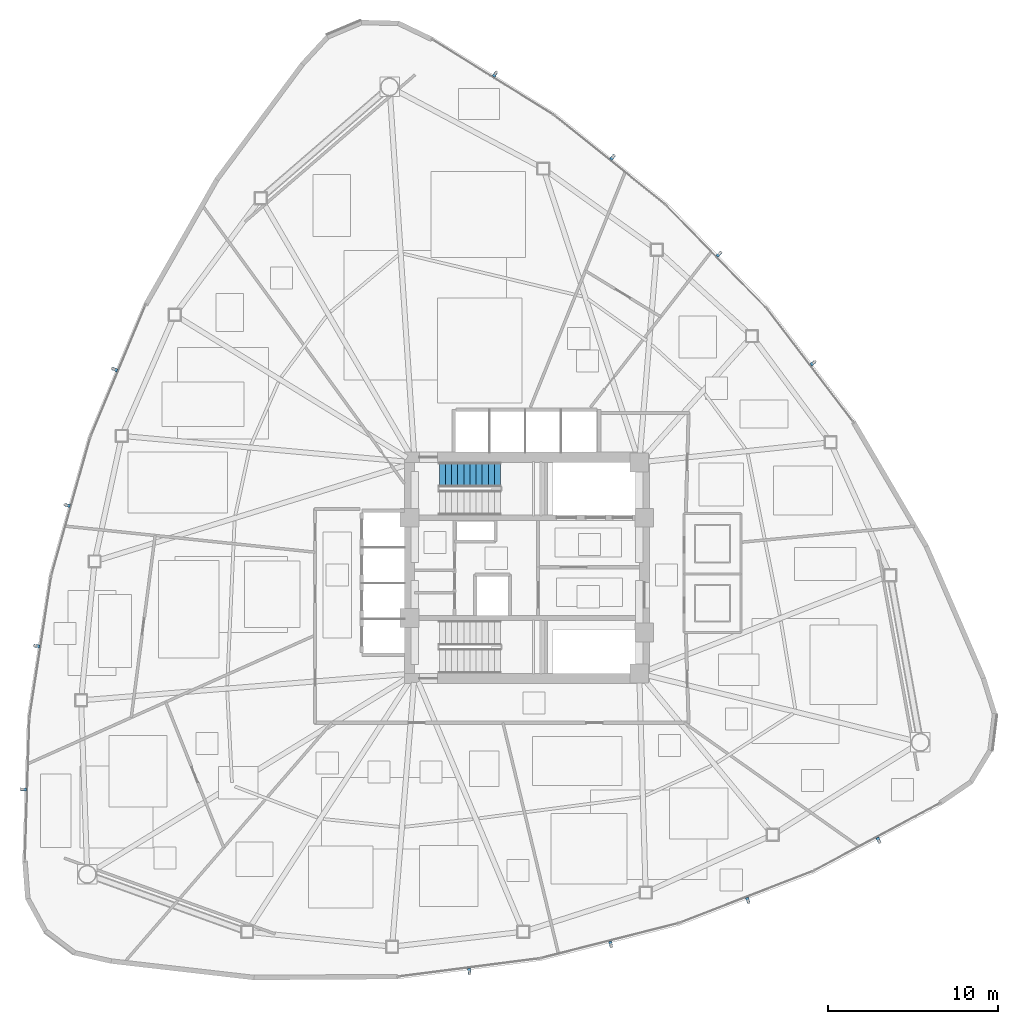
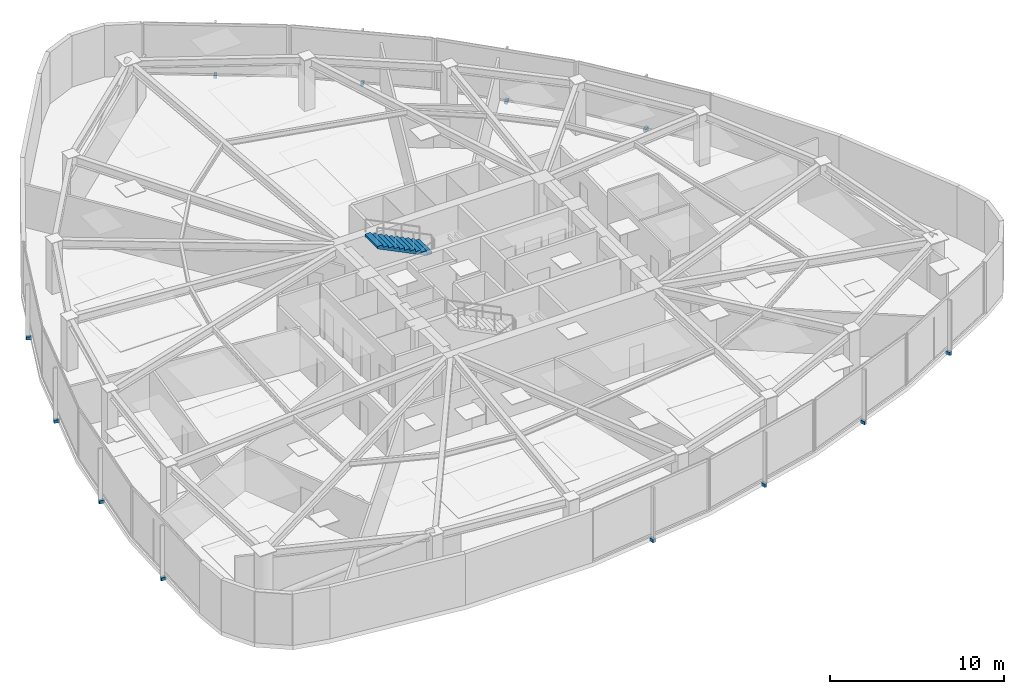
# One storey, part 13 of 17: 12 discrete accessories, 1 stair flight, 1 element without a shape of its own.
"""IFC4 building model written with IfcOpenShell, lengths in metres."""

from ifc_helpers import new_model, si_unit, direction, frame, origin, origin_2d, place, context, subcontext, project, spatial, polyline, rectangle, outline, extrude, source, transform, mapped, material, type_object, type_shapes, element, aggregate, save


model = new_model("IFC4")

# Units and contexts
model_context = context("Model", 3, precision=1e-05, world=origin(), true_north=direction((0.0, 1.0)))
body_context = subcontext(model_context, "Body", "Model", "MODEL_VIEW")
ifc_project = project(units=[si_unit("LENGTHUNIT", "METRE"), si_unit("AREAUNIT", "SQUARE_METRE"), si_unit("VOLUMEUNIT", "CUBIC_METRE"), si_unit("PLANEANGLEUNIT", "RADIAN"), si_unit("MASSUNIT", "GRAM", prefix="KILO")], contexts=[model_context])

# Site, building, storey
site_placement = place(None, origin())
site = spatial("IfcSite", under=ifc_project, at=site_placement, CompositionType="ELEMENT")
building_placement = place(site_placement, origin())
building = spatial("IfcBuilding", under=site, at=building_placement, Name="Tavelor Broadcast Tower", CompositionType="ELEMENT")
storey_placement = place(building_placement, frame((0.0, 0.0, 70.5)))
storey = spatial("IfcBuildingStorey", under=building, at=storey_placement, Name="L16", CompositionType="ELEMENT", Elevation=70.5)

# Stair, stair flight
ifc_material_1 = material(Name="Concrete C40/50", Category="concrete")
stair_type = type_object("IfcStairType", Name="Reinforced Concrete Protected Dogleg Stair 1450 mm", PredefinedType="HALF_TURN_STAIR", material=ifc_material_1)
stair_placement = place(storey_placement, origin())
stair = element("IfcStair", 1, at=stair_placement, inside=storey, type_object=stair_type, Name="L16 Protected Core Exit Stair ST1", PredefinedType="HALF_TURN_STAIR")
stair_flight_type = type_object("IfcStairFlightType", Name="Reinforced Concrete Stair Flight 1450 mm", PredefinedType="STRAIGHT", material=ifc_material_1)
stair_flight_placement = place(storey_placement, frame((48.449951171875, 50.47509765625, 1.949951171875), z_axis=(0.0, 0.0, 1.0), x_axis=(-1.0, 0.0, 0.0)))
stair_flight = element("IfcStairFlight", 2, at=stair_flight_placement, type_object=stair_flight_type, Name="ST1 flight 2", NumberOfRisers=11, NumberOfTreads=10, PredefinedType="STRAIGHT", RiserHeight=0.177272727, TreadLength=0.36, context=body_context, shape_type="SweptSolid", body=[
    extrude(outline(polyline([(0.0, 0.0), (0.0, 0.17724609375), (0.360107421875, 0.17724609375), (0.360107421875, 0.3544921875), (0.719970703125, 0.3544921875), (0.719970703125, 0.53173828125), (1.080078125, 0.53173828125), (1.080078125, 0.708984375), (1.43994140625, 0.708984375), (1.43994140625, 0.886474609375), (1.800048828125, 0.886474609375), (1.800048828125, 1.063720703125), (2.159912109375, 1.063720703125), (2.159912109375, 1.240966796875), (2.52001953125, 1.240966796875), (2.52001953125, 1.418212890625), (2.8798828125, 1.418212890625), (2.8798828125, 1.595458984375), (3.239990234375, 1.595458984375), (3.239990234375, 1.772705078125), (3.60009765625, 1.772705078125), (3.60009765625, 1.949951171875), (3.60009765625, 1.605712890625), (0.33935546875, 0.0), (0.0, 0.0)])), frame((0.0, 0.72509765625, 0.0), z_axis=(0.0, -1.0, 0.0), x_axis=(1.0, 0.0, 0.0)), (0.0, 0.0, 1.0), 1.449951171875),
])
aggregate(stair, [stair_flight])

# Discrete accessories
ifc_material_2 = material(Name="Steel S355", Category="steel")
discrete_accessory_type = type_object("IfcDiscreteAccessoryType", Name="Stainless Baguette Outrigger Support Bracket 260x180", PredefinedType="BRACKET", material=ifc_material_2)
shared_shape = source(origin(), body_context, "Body", "SweptSolid", [
    extrude(rectangle(XDim=0.179931640625, YDim=0.340087890625, at=origin_2d()), origin(), (0.0, 0.0, 1.0), 0.216064453125),
])
type_shapes(discrete_accessory_type, [shared_shape])
for number, where, z_axis, x_axis, name in (
    (3, (25.76513671875, 56.664794921875, -0.2578125), (0.0, 0.0, 1.0), (-0.385422949633, -0.922740022919, 0.0), "L16 Baguette Outrigger Bracket 145"),
    (4, (22.98291015625, 48.675537109375, -0.2578125), (0.0, 0.0, 1.0), (-0.271104473079, -0.962549928407, 0.0), "L16 Baguette Outrigger Bracket 146"),
    (5, (21.18798828125, 40.408447265625, -0.2578125), (0.0, 0.0, 1.0), (-0.152468380166, -0.988308349175, 0.0), "L16 Baguette Outrigger Bracket 147"),
    (6, (20.40673828125, 31.98486328125, -0.2578125), (0.0, 0.0, 1.0), (-0.031759650765, -0.999495535049, 0.0), "L16 Baguette Outrigger Bracket 148"),
    (7, (46.615478515625, 21.29736328125, -0.2578125), (0.0, 0.0, 1.0), (0.991850028246, 0.12741083733, 0.0), "L16 Baguette Outrigger Bracket 149"),
    (8, (54.92529296875, 22.882568359375, -0.2578125), (0.0, 0.0, 1.0), (0.969144926951, 0.246491603437, 0.0), "L16 Baguette Outrigger Bracket 150"),
    (9, (62.982421875, 25.461669921875, -0.2578125), (0.0, 0.0, 1.0), (0.932134327241, 0.36211268409, 0.0), "L16 Baguette Outrigger Bracket 151"),
    (10, (70.668212890625, 28.996826171875, -0.2578125), (0.0, 0.0, 1.0), (0.881468349704, 0.472243103147, 0.0), "L16 Baguette Outrigger Bracket 152"),
    (11, (66.819580078125, 57.037841796875, -0.2578125), (0.0, 0.0, 1.0), (-0.606266035968, 0.79526190254, 0.0), "L16 Baguette Outrigger Bracket 153"),
    (12, (61.291748046875, 63.44189453125, -0.2578125), (0.0, 0.0, 1.0), (-0.698165418993, 0.715936483022, 0.0), "L16 Baguette Outrigger Bracket 154"),
    (13, (55.029541015625, 69.1298828125, -0.2578125), (0.0, 0.0, 1.0), (-0.779665947075, 0.626195665085, 0.0), "L16 Baguette Outrigger Bracket 155"),
    (14, (48.125, 74.018310546875, -0.2578125), (0.0, 0.0, 1.0), (-0.849708698939, 0.527252431902, 0.0), "L16 Baguette Outrigger Bracket 156"),
):
    element("IfcDiscreteAccessory", number, at=place(storey_placement, frame(where, z_axis=z_axis, x_axis=x_axis)), inside=storey, type_object=discrete_accessory_type, Name=name, PredefinedType="BRACKET", context=body_context, shape_type="MappedRepresentation", body=[
        mapped(shared_shape, transform((0.0, 0.0, 0.0), scale=1.0)),
    ])

save(model, "model.ifc")
